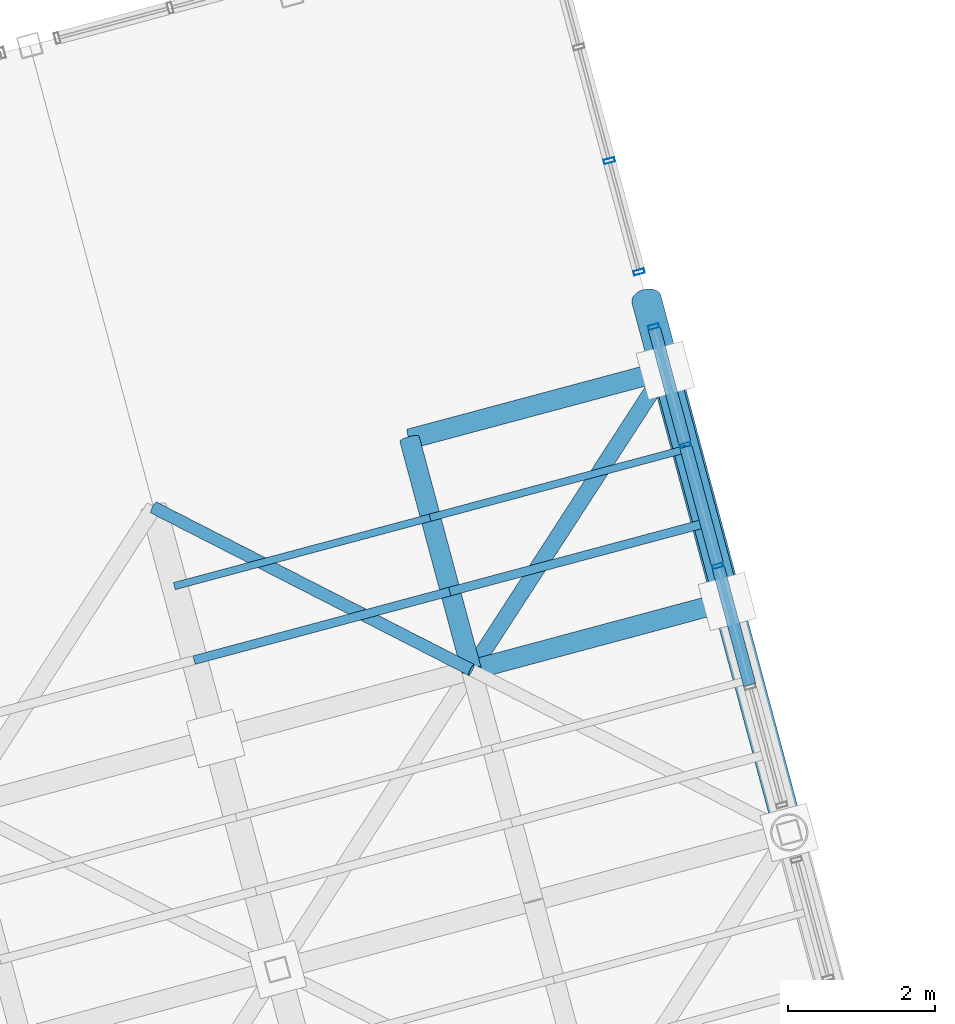
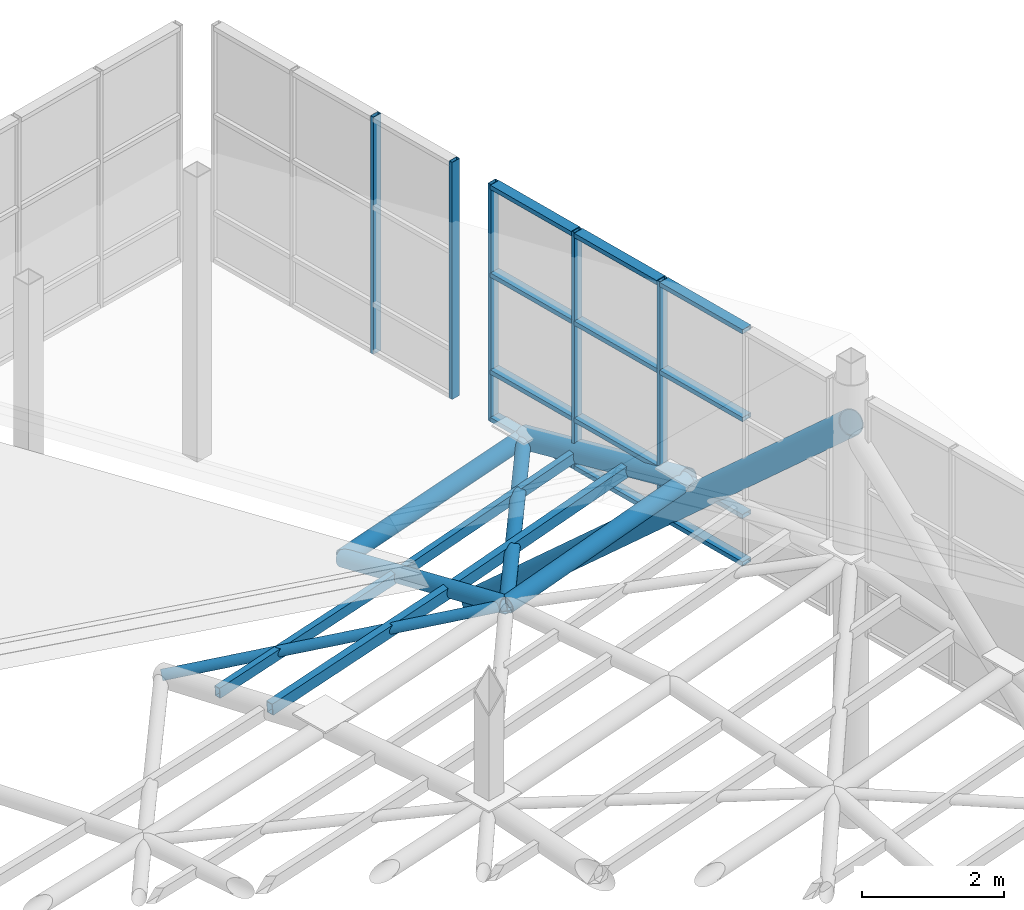
# One storey, part 19 of 28: 28 members, 2 elements without a shape of their own.
"""IFC4 building model written with IfcOpenShell, lengths in metres."""

from ifc_helpers import new_model, si_unit, direction, frame, origin, origin_2d, place, context, subcontext, project, spatial, hollow_rectangle, hollow_circle, extrude, material, layer, layer_set, material_profile, profile_set, type_object, element, aggregate, save


model = new_model("IFC4")

# Units and contexts
model_context = context("Model", 3, precision=1e-05, world=origin(), true_north=direction((0.0, 1.0)))
body_context = subcontext(model_context, "Body", "Model", "MODEL_VIEW")
ifc_project = project(units=[si_unit("LENGTHUNIT", "METRE"), si_unit("AREAUNIT", "SQUARE_METRE"), si_unit("VOLUMEUNIT", "CUBIC_METRE"), si_unit("PLANEANGLEUNIT", "RADIAN"), si_unit("MASSUNIT", "GRAM", prefix="KILO")], contexts=[model_context])

# Site, building, storey
site_placement = place(None, origin())
site = spatial("IfcSite", under=ifc_project, at=site_placement, CompositionType="ELEMENT")
building_placement = place(site_placement, origin())
building = spatial("IfcBuilding", under=site, at=building_placement, Name="Ventoquebrada Cableway Terminal", CompositionType="ELEMENT")
storey_placement = place(building_placement, frame((0.0, 0.0, 23.39990234375)))
storey = spatial("IfcBuildingStorey", under=building, at=storey_placement, Name="RF", CompositionType="ELEMENT", Elevation=23.39990234375)

# Members
ifc_material_1 = material(Name="Steel ASTM A500 Grade C", Category="steel")
ifc_material_profile_1 = material_profile(ifc_material_1, hollow_circle(Radius=0.109619140625, WallThickness=0.010009765625, at=origin_2d()), Name="CHS219.1X10")
ifc_profile_set_1 = profile_set([ifc_material_profile_1], Name="Steel ASTM A500 Grade C")
member_type_1 = type_object("IfcMemberType", Name="BRC-GS01", PredefinedType="BRACE", material=ifc_profile_set_1)
member_1_placement = place(storey_placement, frame((79.068115234375, 93.865966796875, 0.443115234375), z_axis=(0.540495578496, 0.834747038198, -0.105175623823), x_axis=(-0.839402648036, 0.543510068416, 0.0)))
element("IfcMember", 1, at=member_1_placement, inside=storey, type_object=member_type_1, Name="Saddle gridshell diagrid brace GBR-0424", PredefinedType="BRACE", context=body_context, shape_type="SweptSolid", body=[
    extrude(hollow_circle(Radius=0.109619140625, WallThickness=0.010009765625, at=origin_2d()), origin(), (0.0, 0.0, 1.0), 4.876953125),
])
ifc_material_profile_2 = material_profile(ifc_material_1, hollow_circle(Radius=0.084228515625, WallThickness=0.008056640625, at=origin_2d()), Name="CHS168.3X8")
ifc_profile_set_2 = profile_set([ifc_material_profile_2], Name="Steel ASTM A500 Grade C")
member_type_2 = type_object("IfcMemberType", Name="BRC-GS02", PredefinedType="BRACE", material=ifc_profile_set_2)
member_2_placement = place(storey_placement, frame((74.75, 96.073974609375, -0.587890625), z_axis=(0.870892404229, -0.445318646681, 0.20793682496), x_axis=(0.455269816893, 0.890353521825, 0.0)))
element("IfcMember", 2, at=member_2_placement, inside=storey, type_object=member_type_2, Name="Saddle gridshell diagrid brace GBR-0400", PredefinedType="BRACE", context=body_context, shape_type="SweptSolid", body=[
    extrude(hollow_circle(Radius=0.084228515625, WallThickness=0.008056640625, at=origin_2d()), origin(), (0.0, 0.0, 1.0), 4.958251953125),
])
ifc_material_profile_3 = material_profile(ifc_material_1, hollow_circle(Radius=0.177734375, WallThickness=0.012451171875, at=origin_2d()), Name="CHS355.6X12.5")
ifc_profile_set_3 = profile_set([ifc_material_profile_3], Name="Steel ASTM A500 Grade C")
member_type_3 = type_object("IfcMemberType", Name="CHD-GS01", PredefinedType="CHORD", material=ifc_profile_set_3)
member_3_placement = place(storey_placement, frame((82.5458984375, 94.798095703125, 0.80712890625), z_axis=(-0.250082608142, 0.932515108145, -0.260526893401), x_axis=(-0.9658698883, -0.259027718353, 0.0)))
element("IfcMember", 3, at=member_3_placement, inside=storey, type_object=member_type_3, Name="Saddle gridshell arch chord GCH-0100", PredefinedType="CHORD", context=body_context, shape_type="SweptSolid", body=[
    extrude(hollow_circle(Radius=0.177734375, WallThickness=0.012451171875, at=origin_2d()), origin(), (0.0, 0.0, 1.0), 3.365966796875),
])
ifc_material_profile_4 = material_profile(ifc_material_1, hollow_circle(Radius=0.136474609375, WallThickness=0.012451171875, at=origin_2d()), Name="CHS273.0X12.5")
ifc_profile_set_4 = profile_set([ifc_material_profile_4], Name="Steel ASTM A500 Grade C")
member_type_4 = type_object("IfcMemberType", Name="CHD-GS02", PredefinedType="CHORD", material=ifc_profile_set_4)
member_4_placement = place(storey_placement, frame((79.068115234375, 93.865966796875, 0.443115234375), z_axis=(-0.251139408463, 0.937635724718, -0.240350255356), x_axis=(-0.965951403156, -0.258723572063, 0.0)))
element("IfcMember", 4, at=member_4_placement, inside=storey, type_object=member_type_4, Name="Saddle gridshell arch chord GCH-0092", PredefinedType="CHORD", context=body_context, shape_type="SweptSolid", body=[
    extrude(hollow_circle(Radius=0.136474609375, WallThickness=0.012451171875, at=origin_2d()), origin(), (0.0, 0.0, 1.0), 3.348876953125),
])
member_5_placement = place(storey_placement, frame((79.068115234375, 93.865966796875, 0.443115234375), z_axis=(0.96100894727, 0.257573335253, 0.100587177282), x_axis=(-0.258886342435, 0.96590779151, 0.0)))
element("IfcMember", 5, at=member_5_placement, inside=storey, type_object=member_type_4, Name="Saddle gridshell longitudinal chord GLG-0162", PredefinedType="CHORD", context=body_context, shape_type="SweptSolid", body=[
    extrude(hollow_circle(Radius=0.136474609375, WallThickness=0.012451171875, at=origin_2d()), origin(), (0.0, 0.0, 1.0), 3.618896484375),
])
member_6_placement = place(storey_placement, frame((78.22705078125, 97.006103515625, -0.36181640625), z_axis=(0.962816232192, 0.257774069186, 0.080854389391), x_axis=(-0.258620813366, 0.965978920523, 0.0)))
element("IfcMember", 6, at=member_6_placement, inside=storey, type_object=member_type_4, Name="Saddle gridshell longitudinal chord GLG-0172", PredefinedType="CHORD", context=body_context, shape_type="SweptSolid", body=[
    extrude(hollow_circle(Radius=0.136474609375, WallThickness=0.012451171875, at=origin_2d()), origin(), (0.0, 0.0, 1.0), 3.611328125),
])

# Curtain wall, members
ifc_material_2 = material(Name="Anodized thermally-broken aluminium", Category="aluminium")
ifc_layer_1 = layer(ifc_material_2, 0.159912109375)
ifc_layer_set_1 = layer_set([ifc_layer_1], Name="Anodized thermally-broken aluminium")
curtain_wall_type_1 = type_object("IfcCurtainWallType", Name="CW-T50", PredefinedType="USERDEFINED", material=ifc_layer_set_1)
curtain_wall_1_placement = place(storey_placement, origin())
curtain_wall_1 = element("IfcCurtainWall", 7, at=curtain_wall_1_placement, inside=storey, type_object=curtain_wall_type_1, Name="Unitised glazed curtain wall CW-167", ObjectType="UNITISED CURTAIN WALL", PredefinedType="USERDEFINED")
ifc_material_profile_5 = material_profile(ifc_material_2, hollow_rectangle(XDim=0.06005859375, YDim=0.14990234375, WallThickness=0.00390625, at=origin_2d()), Name="CW-MUL-60X150")
ifc_profile_set_5 = profile_set([ifc_material_profile_5], Name="Anodized thermally-broken aluminium")
member_type_5 = type_object("IfcMemberType", Name="CWM-03", PredefinedType="MULLION", material=ifc_profile_set_5)
member_7_placement = place(storey_placement, frame((82.416015625, 95.281005859375, -0.06298828125), z_axis=(0.0, 0.0, 1.0), x_axis=(-0.258835903649, 0.965921308897, 0.0)))
member_7 = element("IfcMember", 8, at=member_7_placement, type_object=member_type_5, Name="Curtain wall mullion FML-0811", PredefinedType="MULLION", context=body_context, shape_type="SweptSolid", body=[
    extrude(hollow_rectangle(XDim=0.06005859375, YDim=0.14990234375, WallThickness=0.00390625, at=origin_2d()), origin(), (0.0, 0.0, 1.0), 4.068115234375),
])
member_8_placement = place(storey_placement, frame((81.97607421875, 96.923095703125, -0.06298828125), z_axis=(0.0, 0.0, 1.0), x_axis=(-0.258835903649, 0.965921308897, 0.0)))
member_8 = element("IfcMember", 9, at=member_8_placement, type_object=member_type_5, Name="Curtain wall mullion FML-0812", PredefinedType="MULLION", context=body_context, shape_type="SweptSolid", body=[
    extrude(hollow_rectangle(XDim=0.06005859375, YDim=0.14990234375, WallThickness=0.00390625, at=origin_2d()), origin(), (0.0, 0.0, 1.0), 4.068115234375),
])
member_9_placement = place(storey_placement, frame((81.544921875, 98.531005859375, -0.06298828125), z_axis=(0.0, 0.0, 1.0), x_axis=(-0.258835903649, 0.965921308897, 0.0)))
member_9 = element("IfcMember", 10, at=member_9_placement, type_object=member_type_5, Name="Curtain wall mullion FML-0813", PredefinedType="MULLION", context=body_context, shape_type="SweptSolid", body=[
    extrude(hollow_rectangle(XDim=0.06005859375, YDim=0.14990234375, WallThickness=0.00390625, at=origin_2d()), origin(), (0.0, 0.0, 1.0), 4.068115234375),
])

ifc_layer_2 = layer(ifc_material_2, 0.159912109375)
ifc_layer_set_2 = layer_set([ifc_layer_2], Name="Anodized thermally-broken aluminium")
curtain_wall_type_2 = type_object("IfcCurtainWallType", Name="CW-T49", PredefinedType="USERDEFINED", material=ifc_layer_set_2)
curtain_wall_2_placement = place(storey_placement, origin())
curtain_wall_2 = element("IfcCurtainWall", 11, at=curtain_wall_2_placement, inside=storey, type_object=curtain_wall_type_2, Name="Unitised glazed curtain wall CW-168", ObjectType="UNITISED CURTAIN WALL", PredefinedType="USERDEFINED")
member_10_placement = place(storey_placement, frame((81.345947265625, 99.27490234375, -0.06298828125), z_axis=(0.0, 0.0, 1.0), x_axis=(-0.258717892168, 0.96595292446, 0.0)))
member_10 = element("IfcMember", 12, at=member_10_placement, type_object=member_type_5, Name="Curtain wall mullion FML-0814", PredefinedType="MULLION", context=body_context, shape_type="SweptSolid", body=[
    extrude(hollow_rectangle(XDim=0.06005859375, YDim=0.14990234375, WallThickness=0.00390625, at=origin_2d()), origin(), (0.0, 0.0, 1.0), 4.068115234375),
])
member_11_placement = place(storey_placement, frame((80.94091796875, 100.787109375, -0.06298828125), z_axis=(0.0, 0.0, 1.0), x_axis=(-0.258717892168, 0.96595292446, 0.0)))
member_11 = element("IfcMember", 13, at=member_11_placement, type_object=member_type_5, Name="Curtain wall mullion FML-0815", PredefinedType="MULLION", context=body_context, shape_type="SweptSolid", body=[
    extrude(hollow_rectangle(XDim=0.06005859375, YDim=0.14990234375, WallThickness=0.00390625, at=origin_2d()), origin(), (0.0, 0.0, 1.0), 4.068115234375),
])
aggregate(curtain_wall_2, [member_10, member_11])

# Member
ifc_material_profile_6 = material_profile(ifc_material_2, hollow_rectangle(XDim=0.074951171875, YDim=0.169921875, WallThickness=0.00439453125, at=origin_2d()), Name="CW-TRN-75X170")
ifc_profile_set_6 = profile_set([ifc_material_profile_6], Name="Anodized thermally-broken aluminium")
member_type_6 = type_object("IfcMemberType", Name="CWT-03", PredefinedType="USERDEFINED", material=ifc_profile_set_6)
member_12_placement = place(storey_placement, frame((82.85009765625, 93.6630859375, -0.02001953125), z_axis=(-0.259310305754, 0.965794059481, 0.0), x_axis=(0.0, 0.0, 1.0)))
member_12 = element("IfcMember", 14, at=member_12_placement, type_object=member_type_6, Name="Curtain wall transom FTR-2372", ObjectType="TRANSOM", PredefinedType="USERDEFINED", context=body_context, shape_type="SweptSolid", body=[
    extrude(hollow_rectangle(XDim=0.074951171875, YDim=0.169921875, WallThickness=0.00439453125, at=origin_2d()), origin(), (0.0, 0.0, 1.0), 1.650390625),
])

member_13_placement = place(storey_placement, frame((82.85009765625, 93.6630859375, 0.795166015625), z_axis=(-0.259310305754, 0.965794059481, 0.0), x_axis=(0.0, 0.0, 1.0)))
member_13 = element("IfcMember", 15, at=member_13_placement, type_object=member_type_6, Name="Curtain wall transom FTR-2373", ObjectType="TRANSOM", PredefinedType="USERDEFINED", context=body_context, shape_type="SweptSolid", body=[
    extrude(hollow_rectangle(XDim=0.074951171875, YDim=0.169921875, WallThickness=0.00439453125, at=origin_2d()), origin(), (0.0, 0.0, 1.0), 1.650390625),
])

member_14_placement = place(storey_placement, frame((82.85009765625, 93.6630859375, 2.458984375), z_axis=(-0.259310305754, 0.965794059481, 0.0), x_axis=(0.0, 0.0, 1.0)))
member_14 = element("IfcMember", 16, at=member_14_placement, type_object=member_type_6, Name="Curtain wall transom FTR-2374", ObjectType="TRANSOM", PredefinedType="USERDEFINED", context=body_context, shape_type="SweptSolid", body=[
    extrude(hollow_rectangle(XDim=0.074951171875, YDim=0.169921875, WallThickness=0.00439453125, at=origin_2d()), origin(), (0.0, 0.0, 1.0), 1.650390625),
])

member_15_placement = place(storey_placement, frame((82.85009765625, 93.6630859375, 3.965087890625), z_axis=(-0.259310305754, 0.965794059481, 0.0), x_axis=(0.0, 0.0, 1.0)))
member_15 = element("IfcMember", 17, at=member_15_placement, type_object=member_type_6, Name="Curtain wall transom FTR-2375", ObjectType="TRANSOM", PredefinedType="USERDEFINED", context=body_context, shape_type="SweptSolid", body=[
    extrude(hollow_rectangle(XDim=0.074951171875, YDim=0.169921875, WallThickness=0.00439453125, at=origin_2d()), origin(), (0.0, 0.0, 1.0), 1.650390625),
])

member_16_placement = place(storey_placement, frame((82.409912109375, 95.304931640625, -0.02001953125), z_axis=(-0.259310305754, 0.965794059481, 0.0), x_axis=(0.0, 0.0, 1.0)))
member_16 = element("IfcMember", 18, at=member_16_placement, type_object=member_type_6, Name="Curtain wall transom FTR-2376", ObjectType="TRANSOM", PredefinedType="USERDEFINED", context=body_context, shape_type="SweptSolid", body=[
    extrude(hollow_rectangle(XDim=0.074951171875, YDim=0.169921875, WallThickness=0.00439453125, at=origin_2d()), origin(), (0.0, 0.0, 1.0), 1.650390625),
])

member_17_placement = place(storey_placement, frame((82.409912109375, 95.304931640625, 0.795166015625), z_axis=(-0.259310305754, 0.965794059481, 0.0), x_axis=(0.0, 0.0, 1.0)))
member_17 = element("IfcMember", 19, at=member_17_placement, type_object=member_type_6, Name="Curtain wall transom FTR-2377", ObjectType="TRANSOM", PredefinedType="USERDEFINED", context=body_context, shape_type="SweptSolid", body=[
    extrude(hollow_rectangle(XDim=0.074951171875, YDim=0.169921875, WallThickness=0.00439453125, at=origin_2d()), origin(), (0.0, 0.0, 1.0), 1.650390625),
])

member_18_placement = place(storey_placement, frame((82.409912109375, 95.304931640625, 2.458984375), z_axis=(-0.259310305754, 0.965794059481, 0.0), x_axis=(0.0, 0.0, 1.0)))
member_18 = element("IfcMember", 20, at=member_18_placement, type_object=member_type_6, Name="Curtain wall transom FTR-2378", ObjectType="TRANSOM", PredefinedType="USERDEFINED", context=body_context, shape_type="SweptSolid", body=[
    extrude(hollow_rectangle(XDim=0.074951171875, YDim=0.169921875, WallThickness=0.00439453125, at=origin_2d()), origin(), (0.0, 0.0, 1.0), 1.650390625),
])

member_19_placement = place(storey_placement, frame((82.409912109375, 95.304931640625, 3.965087890625), z_axis=(-0.259310305754, 0.965794059481, 0.0), x_axis=(0.0, 0.0, 1.0)))
member_19 = element("IfcMember", 21, at=member_19_placement, type_object=member_type_6, Name="Curtain wall transom FTR-2379", ObjectType="TRANSOM", PredefinedType="USERDEFINED", context=body_context, shape_type="SweptSolid", body=[
    extrude(hollow_rectangle(XDim=0.074951171875, YDim=0.169921875, WallThickness=0.00439453125, at=origin_2d()), origin(), (0.0, 0.0, 1.0), 1.650390625),
])

member_20_placement = place(storey_placement, frame((81.969970703125, 96.947021484375, -0.02001953125), z_axis=(-0.258791494835, 0.96593320794, 0.0), x_axis=(0.0, 0.0, 1.0)))
member_20 = element("IfcMember", 22, at=member_20_placement, type_object=member_type_6, Name="Curtain wall transom FTR-2380", ObjectType="TRANSOM", PredefinedType="USERDEFINED", context=body_context, shape_type="SweptSolid", body=[
    extrude(hollow_rectangle(XDim=0.074951171875, YDim=0.169921875, WallThickness=0.00439453125, at=origin_2d()), origin(), (0.0, 0.0, 1.0), 1.614990234375),
])

member_21_placement = place(storey_placement, frame((81.969970703125, 96.947021484375, 0.795166015625), z_axis=(-0.258791494835, 0.96593320794, 0.0), x_axis=(0.0, 0.0, 1.0)))
member_21 = element("IfcMember", 23, at=member_21_placement, type_object=member_type_6, Name="Curtain wall transom FTR-2381", ObjectType="TRANSOM", PredefinedType="USERDEFINED", context=body_context, shape_type="SweptSolid", body=[
    extrude(hollow_rectangle(XDim=0.074951171875, YDim=0.169921875, WallThickness=0.00439453125, at=origin_2d()), origin(), (0.0, 0.0, 1.0), 1.614990234375),
])

member_22_placement = place(storey_placement, frame((81.969970703125, 96.947021484375, 2.458984375), z_axis=(-0.258791494835, 0.96593320794, 0.0), x_axis=(0.0, 0.0, 1.0)))
member_22 = element("IfcMember", 24, at=member_22_placement, type_object=member_type_6, Name="Curtain wall transom FTR-2382", ObjectType="TRANSOM", PredefinedType="USERDEFINED", context=body_context, shape_type="SweptSolid", body=[
    extrude(hollow_rectangle(XDim=0.074951171875, YDim=0.169921875, WallThickness=0.00439453125, at=origin_2d()), origin(), (0.0, 0.0, 1.0), 1.614990234375),
])

member_23_placement = place(storey_placement, frame((81.969970703125, 96.947021484375, 3.965087890625), z_axis=(-0.258791494835, 0.96593320794, 0.0), x_axis=(0.0, 0.0, 1.0)))
member_23 = element("IfcMember", 25, at=member_23_placement, type_object=member_type_6, Name="Curtain wall transom FTR-2383", ObjectType="TRANSOM", PredefinedType="USERDEFINED", context=body_context, shape_type="SweptSolid", body=[
    extrude(hollow_rectangle(XDim=0.074951171875, YDim=0.169921875, WallThickness=0.00439453125, at=origin_2d()), origin(), (0.0, 0.0, 1.0), 1.614990234375),
])

aggregate(curtain_wall_1, [member_7, member_8, member_9, member_12, member_13, member_14, member_15, member_16, member_17, member_18, member_19, member_20, member_21, member_22, member_23])

# Members
ifc_material_profile_7 = material_profile(ifc_material_1, hollow_rectangle(XDim=0.1201171875, YDim=0.199951171875, WallThickness=0.008056640625, at=origin_2d()), Name="RHS200X120X8")
ifc_profile_set_7 = profile_set([ifc_material_profile_7], Name="Steel ASTM A500 Grade C")
member_type_7 = type_object("IfcMemberType", Name="PUR-RF01", PredefinedType="PURLIN", material=ifc_profile_set_7)
member_24_placement = place(storey_placement, frame((75.304931640625, 94.001953125, -0.094970703125), z_axis=(0.963304023957, 0.258242856584, 0.073184591625), x_axis=(-0.258937219442, 0.965894153822, 0.0)))
element("IfcMember", 26, at=member_24_placement, inside=storey, type_object=member_type_7, Name="Gridshell secondary roof purlin GPR-0401", PredefinedType="PURLIN", context=body_context, shape_type="SweptSolid", body=[
    extrude(hollow_rectangle(XDim=0.1201171875, YDim=0.199951171875, WallThickness=0.008056640625, at=origin_2d()), origin(), (0.0, 0.0, 1.0), 3.609619140625),
])
member_25_placement = place(storey_placement, frame((78.781982421875, 94.93408203125, 0.169189453125), z_axis=(0.961722416581, 0.257408927027, 0.093971472967), x_axis=(-0.258553052639, 0.965997059504, 0.0)))
element("IfcMember", 27, at=member_25_placement, inside=storey, type_object=member_type_7, Name="Gridshell secondary roof purlin GPR-0425", PredefinedType="PURLIN", context=body_context, shape_type="SweptSolid", body=[
    extrude(hollow_rectangle(XDim=0.1201171875, YDim=0.199951171875, WallThickness=0.008056640625, at=origin_2d()), origin(), (0.0, 0.0, 1.0), 3.616455078125),
])
ifc_material_profile_8 = material_profile(ifc_material_1, hollow_rectangle(XDim=0.10009765625, YDim=0.179931640625, WallThickness=0.008056640625, at=origin_2d()), Name="RHS180X100X8")
ifc_profile_set_8 = profile_set([ifc_material_profile_8], Name="Steel ASTM A500 Grade C")
member_type_8 = type_object("IfcMemberType", Name="PUR-RF02", PredefinedType="PURLIN", material=ifc_profile_set_8)
member_26_placement = place(storey_placement, frame((75.035888671875, 95.007080078125, -0.333984375), z_axis=(0.963729178106, 0.258018491512, 0.068209451729), x_axis=(-0.258620813366, 0.965978920523, 0.0)))
element("IfcMember", 28, at=member_26_placement, inside=storey, type_object=member_type_8, Name="Gridshell secondary roof purlin GPR-0402", PredefinedType="PURLIN", context=body_context, shape_type="SweptSolid", body=[
    extrude(hollow_rectangle(XDim=0.10009765625, YDim=0.179931640625, WallThickness=0.008056640625, at=origin_2d()), origin(), (0.0, 0.0, 1.0), 3.60791015625),
])
member_27_placement = place(storey_placement, frame((78.512939453125, 95.93798828125, -0.087890625), z_axis=(0.962195996183, 0.257945816137, 0.087423228413), x_axis=(-0.258937219442, 0.965894153822, 0.0)))
element("IfcMember", 29, at=member_27_placement, inside=storey, type_object=member_type_8, Name="Gridshell secondary roof purlin GPR-0426", PredefinedType="PURLIN", context=body_context, shape_type="SweptSolid", body=[
    extrude(hollow_rectangle(XDim=0.10009765625, YDim=0.179931640625, WallThickness=0.008056640625, at=origin_2d()), origin(), (0.0, 0.0, 1.0), 3.61376953125),
])
ifc_material_profile_9 = material_profile(ifc_material_1, hollow_circle(Radius=0.203125, WallThickness=0.01611328125, at=origin_2d()), Name="CHS406.4X16")
ifc_profile_set_9 = profile_set([ifc_material_profile_9], Name="Steel ASTM A500 Grade C")
member_type_9 = type_object("IfcMemberType", Name="STR-RK01", PredefinedType="STRUT", material=ifc_profile_set_9)
member_28_placement = place(storey_placement, frame((81.446044921875, 98.903076171875, -3.39990234375), z_axis=(0.191723867187, -0.715576174488, 0.671708789027), x_axis=(0.965930615067, 0.258801172479, 0.0)))
element("IfcMember", 30, at=member_28_placement, inside=storey, type_object=member_type_9, Name="Portal mast stay strut MST-ST-0436", PredefinedType="STRUT", context=body_context, shape_type="SweptSolid", body=[
    extrude(hollow_circle(Radius=0.203125, WallThickness=0.01611328125, at=origin_2d()), origin(), (0.0, 0.0, 1.0), 10.12353515625),
])

save(model, "model.ifc")
